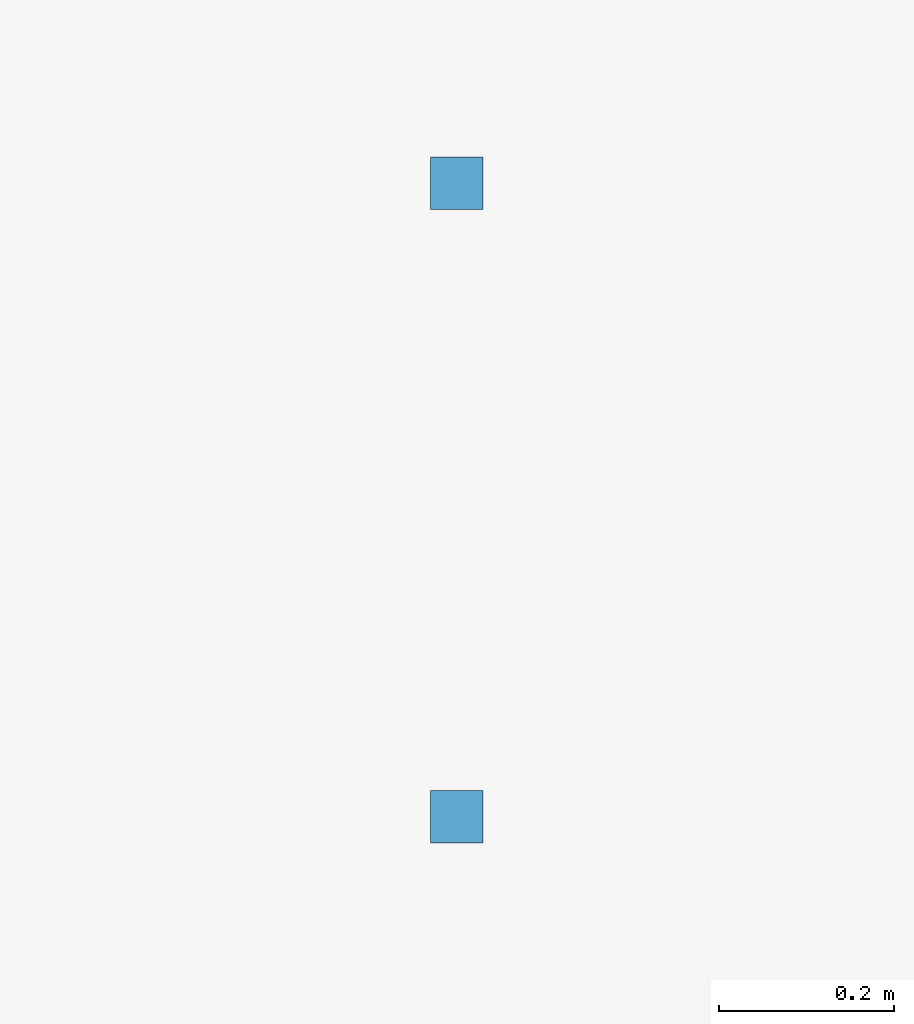
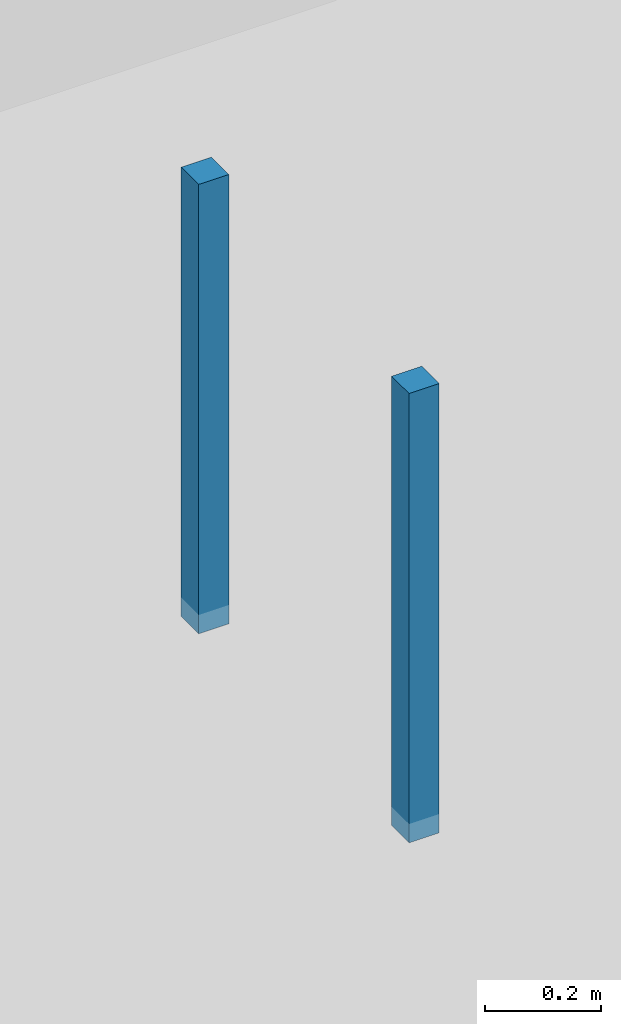
# One storey, part 19 of 39: 2 discrete accessories.
"""IFC4 building model written with IfcOpenShell, lengths in metres."""

from ifc_helpers import new_model, si_unit, direction, frame, origin, origin_2d, place, context, subcontext, project, spatial, rectangle, extrude, material, type_object, element, save


model = new_model("IFC4")

# Units and contexts
model_context = context("Model", 3, precision=1e-05, world=origin(), true_north=direction((0.0, 1.0)))
body_context = subcontext(model_context, "Body", "Model", "MODEL_VIEW")
ifc_project = project(units=[si_unit("LENGTHUNIT", "METRE"), si_unit("AREAUNIT", "SQUARE_METRE"), si_unit("VOLUMEUNIT", "CUBIC_METRE"), si_unit("PLANEANGLEUNIT", "RADIAN"), si_unit("MASSUNIT", "GRAM", prefix="KILO")], contexts=[model_context])

# Site, building, storey
site_placement = place(None, origin())
site = spatial("IfcSite", under=ifc_project, at=site_placement, CompositionType="ELEMENT")
building_placement = place(site_placement, origin())
building = spatial("IfcBuilding", under=site, at=building_placement, Name="Telukmera Botanical Conservatory", CompositionType="ELEMENT")
storey_placement = place(building_placement, frame((0.0, 0.0, 19.5)))
storey = spatial("IfcBuildingStorey", under=building, at=storey_placement, Name="L04", CompositionType="ELEMENT", Elevation=19.5)

# Discrete accessories
ifc_material = material(Name="Steel S355", Category="steel")
discrete_accessory_type = type_object("IfcDiscreteAccessoryType", Name="ACC-CEIL-HGR", PredefinedType="BRACKET", material=ifc_material)
for number, where, z_axis, x_axis, name in (
    (1, (85.981201171875, 11.125, 3.31005859375), (0.0, 0.0, 1.0), (1.0, 0.0, 0.0), "L04 Suspended Ceiling Hanger Rod 032-1"),
    (2, (85.981201171875, 11.85009765625, 3.31005859375), (0.0, 0.0, 1.0), (1.0, 0.0, 0.0), "L04 Suspended Ceiling Hanger Rod 032-2"),
):
    element("IfcDiscreteAccessory", number, at=place(storey_placement, frame(where, z_axis=z_axis, x_axis=x_axis)), inside=storey, type_object=discrete_accessory_type, Name=name, PredefinedType="BRACKET", context=body_context, shape_type="SweptSolid", body=[
        extrude(rectangle(XDim=0.06005859375, YDim=0.06005859375, at=origin_2d()), origin(), (0.0, 0.0, 1.0), 0.945068359375),
    ])

save(model, "model.ifc")
